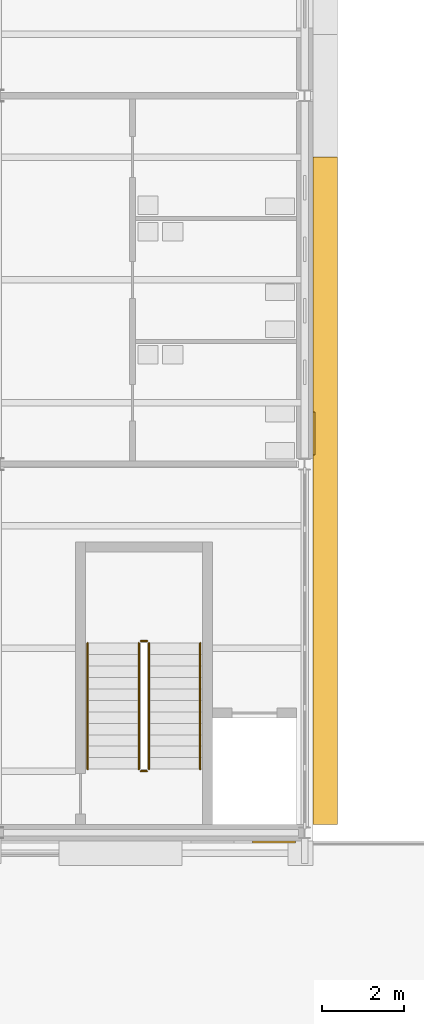
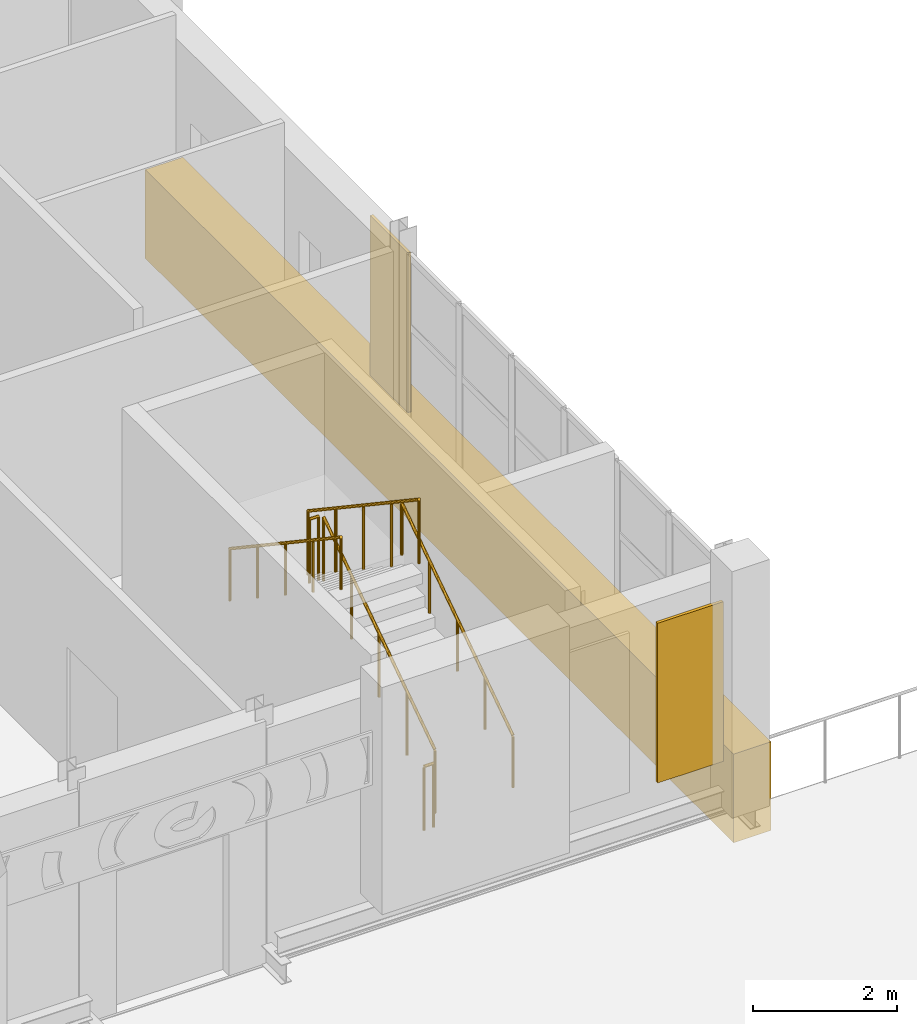
# One storey, part 117 of 134: 6 railings, 3 coverings.
"""IFC4 building model written with IfcOpenShell, lengths in metres."""

from ifc_helpers import new_model, si_unit, direction, frame, origin, origin_2d, place, context, subcontext, project, spatial, polyline, circle, outline, extrude, material, layer, layer_set, type_object, element, save


model = new_model("IFC4")

# Units and contexts
model_context = context("Model", 3, precision=1e-05, world=origin(), true_north=direction((0.0, 1.0)))
body_context = subcontext(model_context, "Body", "Model", "MODEL_VIEW")
ifc_project = project(units=[si_unit("LENGTHUNIT", "METRE"), si_unit("AREAUNIT", "SQUARE_METRE"), si_unit("VOLUMEUNIT", "CUBIC_METRE"), si_unit("PLANEANGLEUNIT", "RADIAN"), si_unit("MASSUNIT", "GRAM", prefix="KILO")], contexts=[model_context])

# Site, building, storey
site_placement = place(None, origin())
site = spatial("IfcSite", under=ifc_project, at=site_placement, CompositionType="ELEMENT")
building_placement = place(site_placement, origin())
building = spatial("IfcBuilding", under=site, at=building_placement, Name="Golden Quay Civic Hall", CompositionType="ELEMENT")
storey_placement = place(building_placement, frame((0.0, 0.0, 5.39990234375)))
storey = spatial("IfcBuildingStorey", under=building, at=storey_placement, Name="L01", CompositionType="ELEMENT", Elevation=5.39990234375)

# Railings
ifc_material_1 = material(Name="Steel S355", Category="steel")
railing_type_1 = type_object("IfcRailingType", Name="Steel guard 1100", PredefinedType="GUARDRAIL", material=ifc_material_1)
railing_1_placement = place(storey_placement, frame((113.199951171875, 1.550048828125, 0.1875)))
element("IfcRailing", 1, at=railing_1_placement, inside=storey, type_object=railing_type_1, Name="L01 EM-S stair guard 1", PredefinedType="GUARDRAIL", context=body_context, shape_type="SweptSolid", body=[
    extrude(circle(Radius=0.02392578125, at=origin_2d()), frame((0.0, 0.0, 1.076171875), z_axis=(0.0, 0.830893310487, 0.556431762742), x_axis=(-1.0, 0.0, 0.0)), (0.0, 0.0, 1.0), 3.70654296875),
    extrude(circle(Radius=0.02099609375, at=origin_2d()), origin(), (0.0, 0.0, 1.0), 1.052001953125),
    extrude(circle(Radius=0.02099609375, at=origin_2d()), frame((0.0, 0.77001953125, 0.515625)), (0.0, 0.0, 1.0), 1.052001953125),
    extrude(circle(Radius=0.02099609375, at=origin_2d()), frame((0.0, 1.5400390625, 1.03125)), (0.0, 0.0, 1.0), 1.052001953125),
    extrude(circle(Radius=0.02099609375, at=origin_2d()), frame((0.0, 2.309814453125, 1.546875)), (0.0, 0.0, 1.0), 1.052001953125),
    extrude(circle(Radius=0.02099609375, at=origin_2d()), frame((0.0, 3.079833984375, 2.0625)), (0.0, 0.0, 1.0), 1.052001953125),
])
railing_2_placement = place(storey_placement, frame((113.14990234375, 4.679931640625, 2.25)))
element("IfcRailing", 2, at=railing_2_placement, inside=storey, type_object=railing_type_1, Name="L01 EM-S stair guard 2", PredefinedType="GUARDRAIL", context=body_context, shape_type="SweptSolid", body=[
    extrude(circle(Radius=0.02392578125, at=origin_2d()), frame((0.0, 0.0, 1.076171875), z_axis=(-1.0, 0.0, 0.0), x_axis=(0.0, -1.0, 0.0)), (0.0, 0.0, 1.0), 0.14990234375),
    extrude(circle(Radius=0.02099609375, at=origin_2d()), origin(), (0.0, 0.0, 1.0), 1.052001953125),
    extrude(circle(Radius=0.02099609375, at=origin_2d()), frame((-0.14990234375, 0.0, 0.0)), (0.0, 0.0, 1.0), 1.052001953125),
])
railing_3_placement = place(storey_placement, frame((112.949951171875, 4.6298828125, 2.4375)))
element("IfcRailing", 3, at=railing_3_placement, inside=storey, type_object=railing_type_1, Name="L01 EM-S stair guard 3", PredefinedType="GUARDRAIL", context=body_context, shape_type="SweptSolid", body=[
    extrude(circle(Radius=0.02392578125, at=origin_2d()), frame((0.0, 0.0, 1.076171875), z_axis=(0.0, -0.830893310487, 0.556431762742), x_axis=(1.0, 0.0, 0.0)), (0.0, 0.0, 1.0), 3.70654296875),
    extrude(circle(Radius=0.02099609375, at=origin_2d()), origin(), (0.0, 0.0, 1.0), 1.052001953125),
    extrude(circle(Radius=0.02099609375, at=origin_2d()), frame((0.0, -0.77001953125, 0.515625)), (0.0, 0.0, 1.0), 1.052001953125),
    extrude(circle(Radius=0.02099609375, at=origin_2d()), frame((0.0, -1.5400390625, 1.03125)), (0.0, 0.0, 1.0), 1.052001953125),
    extrude(circle(Radius=0.02099609375, at=origin_2d()), frame((0.0, -2.309814453125, 1.546875)), (0.0, 0.0, 1.0), 1.052001953125),
    extrude(circle(Radius=0.02099609375, at=origin_2d()), frame((0.0, -3.079833984375, 2.0625)), (0.0, 0.0, 1.0), 1.052001953125),
])
railing_4_placement = place(storey_placement, frame((113.14990234375, 1.5, 0.0)))
element("IfcRailing", 4, at=railing_4_placement, inside=storey, type_object=railing_type_1, Name="L01 EM-S stair guard 4", PredefinedType="GUARDRAIL", context=body_context, shape_type="SweptSolid", body=[
    extrude(circle(Radius=0.02392578125, at=origin_2d()), frame((0.0, 0.0, 1.076171875), z_axis=(-1.0, 0.0, 0.0), x_axis=(0.0, -1.0, 0.0)), (0.0, 0.0, 1.0), 0.14990234375),
    extrude(circle(Radius=0.02099609375, at=origin_2d()), origin(), (0.0, 0.0, 1.0), 1.052001953125),
    extrude(circle(Radius=0.02099609375, at=origin_2d()), frame((-0.14990234375, 0.0, 0.0)), (0.0, 0.0, 1.0), 1.052001953125),
])
ifc_material_2 = material(Name="Steel S355", Category="steel")
railing_type_2 = type_object("IfcRailingType", Name="Steel handrail 900", PredefinedType="HANDRAIL", material=ifc_material_2)
railing_5_placement = place(storey_placement, frame((114.449951171875, 1.550048828125, 0.1875)))
element("IfcRailing", 5, at=railing_5_placement, inside=storey, type_object=railing_type_2, Name="L01 EM-S stair handrail 1", PredefinedType="HANDRAIL", context=body_context, shape_type="SweptSolid", body=[
    extrude(circle(Radius=0.02392578125, at=origin_2d()), frame((0.0, 0.0, 0.8759765625), z_axis=(0.0, 0.830893310487, 0.556431762742), x_axis=(-1.0, 0.0, 0.0)), (0.0, 0.0, 1.0), 3.70654296875),
    extrude(circle(Radius=0.02099609375, at=origin_2d()), origin(), (0.0, 0.0, 1.0), 0.851806640625),
    extrude(circle(Radius=0.02099609375, at=origin_2d()), frame((0.0, 0.77001953125, 0.515625)), (0.0, 0.0, 1.0), 0.851806640625),
    extrude(circle(Radius=0.02099609375, at=origin_2d()), frame((0.0, 1.5400390625, 1.03125)), (0.0, 0.0, 1.0), 0.851806640625),
    extrude(circle(Radius=0.02099609375, at=origin_2d()), frame((0.0, 2.309814453125, 1.546875)), (0.0, 0.0, 1.0), 0.851806640625),
    extrude(circle(Radius=0.02099609375, at=origin_2d()), frame((0.0, 3.079833984375, 2.0625)), (0.0, 0.0, 1.0), 0.851806640625),
])
railing_6_placement = place(storey_placement, frame((111.699951171875, 4.6298828125, 2.4375)))
element("IfcRailing", 6, at=railing_6_placement, inside=storey, type_object=railing_type_2, Name="L01 EM-S stair handrail 2", PredefinedType="HANDRAIL", context=body_context, shape_type="SweptSolid", body=[
    extrude(circle(Radius=0.02392578125, at=origin_2d()), frame((0.0, 0.0, 0.8759765625), z_axis=(0.0, -0.830893310487, 0.556431762742), x_axis=(1.0, 0.0, 0.0)), (0.0, 0.0, 1.0), 3.70654296875),
    extrude(circle(Radius=0.02099609375, at=origin_2d()), origin(), (0.0, 0.0, 1.0), 0.851806640625),
    extrude(circle(Radius=0.02099609375, at=origin_2d()), frame((0.0, -0.77001953125, 0.515625)), (0.0, 0.0, 1.0), 0.851806640625),
    extrude(circle(Radius=0.02099609375, at=origin_2d()), frame((0.0, -1.5400390625, 1.03125)), (0.0, 0.0, 1.0), 0.851806640625),
    extrude(circle(Radius=0.02099609375, at=origin_2d()), frame((0.0, -2.309814453125, 1.546875)), (0.0, 0.0, 1.0), 0.851806640625),
    extrude(circle(Radius=0.02099609375, at=origin_2d()), frame((0.0, -3.079833984375, 2.0625)), (0.0, 0.0, 1.0), 0.851806640625),
])

# Coverings
ifc_material_3 = material(Name="Terracotta cladding, golden glaze", Category="masonry")
ifc_layer = layer(ifc_material_3, 0.050048828125)
ifc_layer_set = layer_set([ifc_layer], Name="Terracotta solid panel 1050 x 2700 x 50")
covering_type_1 = type_object("IfcCoveringType", Name="Terracotta solid panel 1050 x 2700 x 50", PredefinedType="CLADDING", material=ifc_layer_set)
covering_1_placement = place(storey_placement, frame((0.0, 0.0, 0.900146484375)))
element("IfcCovering", 7, at=covering_1_placement, inside=storey, type_object=covering_type_1, Name="Terracotta solid panel 1050 x 2700 x 50 L01 31", PredefinedType="CLADDING", context=body_context, shape_type="SweptSolid", body=[
    extrude(outline(polyline([(117.199951171875, 9.22509765625), (117.199951171875, 10.27490234375), (117.25, 10.27490234375), (117.25, 9.22509765625), (117.199951171875, 9.22509765625)])), origin(), (0.0, 0.0, 1.0), 2.699951171875),
])
covering_2_placement = place(storey_placement, frame((0.0, 0.0, 0.900146484375)))
element("IfcCovering", 8, at=covering_2_placement, inside=storey, type_object=covering_type_1, Name="Terracotta solid panel 1050 x 2700 x 50 L01 36", PredefinedType="CLADDING", context=body_context, shape_type="SweptSolid", body=[
    extrude(outline(polyline([(115.72509765625, -0.199951171875), (116.77490234375, -0.199951171875), (116.77490234375, -0.25), (115.72509765625, -0.25), (115.72509765625, -0.199951171875)])), origin(), (0.0, 0.0, 1.0), 2.699951171875),
])
ifc_material_4 = material(Name="Terracotta cladding, golden glaze", Category="masonry")
covering_type_2 = type_object("IfcCoveringType", Name="Terracotta spandrel fascia 600 x 1500", PredefinedType="CLADDING", material=ifc_material_4)
covering_3_placement = place(storey_placement, frame((0.0, 0.0, -0.89990234375)))
element("IfcCovering", 9, at=covering_3_placement, inside=storey, type_object=covering_type_2, Name="Terracotta spandrel fascia 600 x 1500 L01 14", PredefinedType="CLADDING", context=body_context, shape_type="SweptSolid", body=[
    extrude(outline(polyline([(117.199951171875, 0.199951171875), (117.199951171875, 16.5), (117.800048828125, 16.5), (117.800048828125, 0.199951171875), (117.199951171875, 0.199951171875)])), origin(), (0.0, 0.0, 1.0), 1.5),
])

save(model, "model.ifc")
